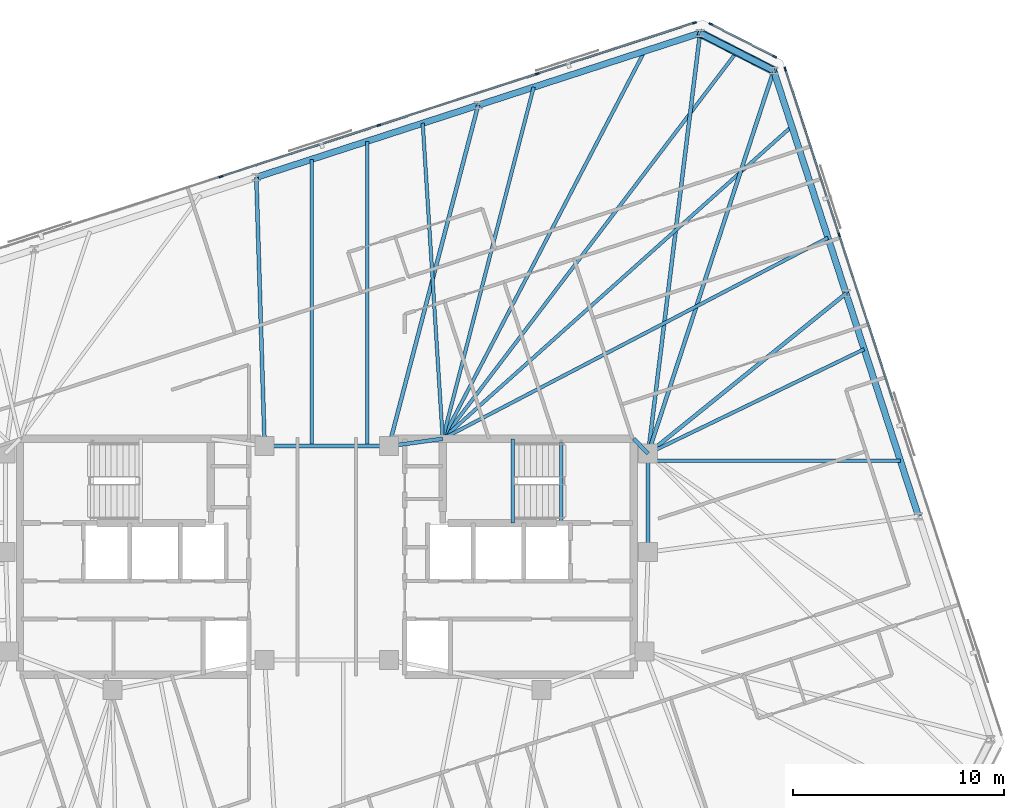
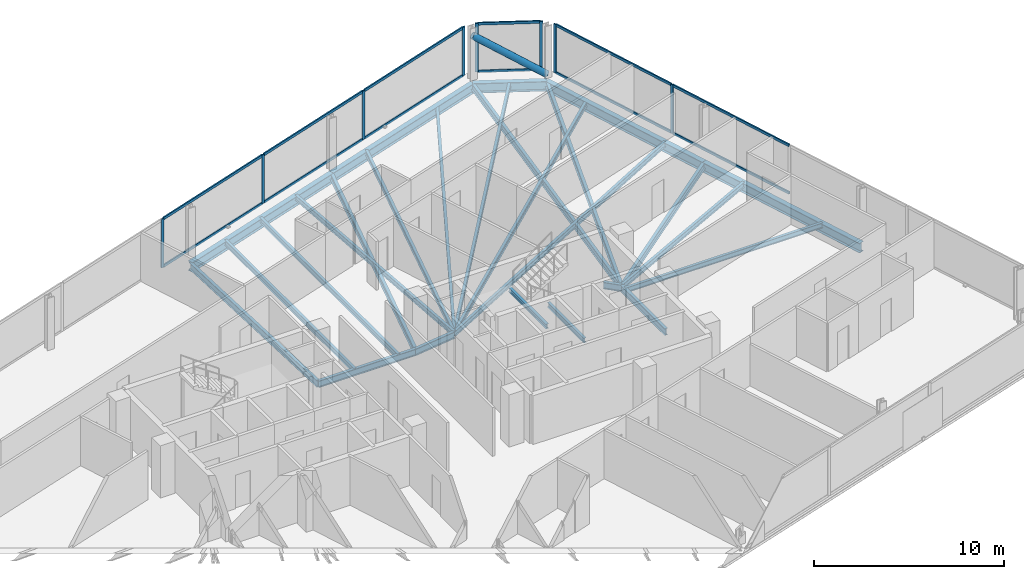
# One storey, part 10 of 19: 26 beams, 21 members, 3 elements without a shape of their own.
"""IFC4 building model written with IfcOpenShell, lengths in metres."""

from ifc_helpers import new_model, si_unit, direction, frame, origin, origin_2d, place, context, subcontext, project, spatial, rectangle, hollow_circle, i_section, extrude, material, material_profile, profile_set, type_object, element, aggregate, save


model = new_model("IFC4")

# Units and contexts
model_context = context("Model", 3, precision=1e-05, world=origin(), true_north=direction((0.0, 1.0)))
body_context = subcontext(model_context, "Body", "Model", "MODEL_VIEW")
ifc_project = project(units=[si_unit("LENGTHUNIT", "METRE"), si_unit("AREAUNIT", "SQUARE_METRE"), si_unit("VOLUMEUNIT", "CUBIC_METRE"), si_unit("PLANEANGLEUNIT", "RADIAN"), si_unit("MASSUNIT", "GRAM", prefix="KILO")], contexts=[model_context])

# Site, building, storey
site_placement = place(None, origin())
site = spatial("IfcSite", under=ifc_project, at=site_placement, CompositionType="ELEMENT")
building_placement = place(site_placement, origin())
building = spatial("IfcBuilding", under=site, at=building_placement, Name="Menara Jurai Vektor", CompositionType="ELEMENT")
storey_placement = place(building_placement, frame((0.0, 0.0, 234.35009765625)))
storey = spatial("IfcBuildingStorey", under=building, at=storey_placement, Name="L62", CompositionType="ELEMENT", Elevation=234.35009765625)

# Curtain wall, members
ifc_material_1 = material(Name="Anodised Pale Aluminium & Low-E Double Glazing", Category="aluminium")
curtain_wall_type = type_object("IfcCurtainWallType", Name="CW-BLK4", PredefinedType="NOTDEFINED", material=ifc_material_1)
curtain_wall_1_placement = place(storey_placement, origin())
curtain_wall_1 = element("IfcCurtainWall", 1, at=curtain_wall_1_placement, inside=storey, type_object=curtain_wall_type, Name="Unitised Curtain Wall L62 F03", PredefinedType="NOTDEFINED")
ifc_material_2 = material(Name="Anodised Pale Aluminium Mullion", Category="aluminium")
ifc_material_profile_1 = material_profile(ifc_material_2, rectangle(XDim=0.080078125, YDim=0.18994140625, at=origin_2d()), Name="ALU MUL 80x190")
ifc_profile_set_1 = profile_set([ifc_material_profile_1], Name="Anodised Pale Aluminium Mullion")
member_type_1 = type_object("IfcMemberType", Name="CW-BLK4-MUL", PredefinedType="MULLION", material=ifc_profile_set_1)
member_1_placement = place(storey_placement, frame((24.31494140625, 15.28271484375, 0.0), z_axis=(0.0, 0.0, 1.0), x_axis=(-0.95105668295, -0.309016481464, 0.0)))
member_1 = element("IfcMember", 2, at=member_1_placement, type_object=member_type_1, Name="CW-04 mullion 4", PredefinedType="MULLION", context=body_context, shape_type="SweptSolid", body=[
    extrude(rectangle(XDim=0.080078125, YDim=0.18994140625, at=origin_2d()), origin(), (0.0, 0.0, 1.0), 3.125),
])
member_2_placement = place(storey_placement, frame((21.75927734375, 23.14794921875, 0.0), z_axis=(0.0, 0.0, 1.0), x_axis=(-0.95105668295, -0.309016481464, 0.0)))
member_2 = element("IfcMember", 3, at=member_2_placement, type_object=member_type_1, Name="CW-04 mullion 5", PredefinedType="MULLION", context=body_context, shape_type="SweptSolid", body=[
    extrude(rectangle(XDim=0.080078125, YDim=0.18994140625, at=origin_2d()), origin(), (0.0, 0.0, 1.0), 3.125),
])

curtain_wall_2_placement = place(storey_placement, origin())
curtain_wall_2 = element("IfcCurtainWall", 4, at=curtain_wall_2_placement, inside=storey, type_object=curtain_wall_type, Name="Unitised Curtain Wall L62 F04", PredefinedType="NOTDEFINED")
member_3_placement = place(storey_placement, frame((21.25537109375, 23.73828125, 0.0), z_axis=(0.0, 0.0, 1.0), x_axis=(-0.453988579828, -0.89100750243, 0.0)))
member_3 = element("IfcMember", 5, at=member_3_placement, type_object=member_type_1, Name="CW-04 mullion 1", PredefinedType="MULLION", context=body_context, shape_type="SweptSolid", body=[
    extrude(rectangle(XDim=0.080078125, YDim=0.18994140625, at=origin_2d()), origin(), (0.0, 0.0, 1.0), 3.125),
])
member_4_placement = place(storey_placement, frame((18.223388671875, 25.282958984375, 0.0), z_axis=(0.0, 0.0, 1.0), x_axis=(-0.453988579828, -0.89100750243, 0.0)))
member_4 = element("IfcMember", 6, at=member_4_placement, type_object=member_type_1, Name="CW-04 mullion 2", PredefinedType="MULLION", context=body_context, shape_type="SweptSolid", body=[
    extrude(rectangle(XDim=0.080078125, YDim=0.18994140625, at=origin_2d()), origin(), (0.0, 0.0, 1.0), 3.125),
])

curtain_wall_3_placement = place(storey_placement, origin())
curtain_wall_3 = element("IfcCurtainWall", 7, at=curtain_wall_3_placement, inside=storey, type_object=curtain_wall_type, Name="Unitised Curtain Wall L62 F05", PredefinedType="NOTDEFINED")
member_5_placement = place(storey_placement, frame((17.44970703125, 25.34375, 0.0), z_axis=(0.0, 0.0, 1.0), x_axis=(0.309017344167, -0.951056402641, 0.0)))
member_5 = element("IfcMember", 8, at=member_5_placement, type_object=member_type_1, Name="CW-04 mullion 1", PredefinedType="MULLION", context=body_context, shape_type="SweptSolid", body=[
    extrude(rectangle(XDim=0.080078125, YDim=0.18994140625, at=origin_2d()), origin(), (0.0, 0.0, 1.0), 3.125),
])
member_6_placement = place(storey_placement, frame((9.982666015625, 22.917724609375, 0.0), z_axis=(0.0, 0.0, 1.0), x_axis=(0.309017344167, -0.951056402641, 0.0)))
member_6 = element("IfcMember", 9, at=member_6_placement, type_object=member_type_1, Name="CW-04 mullion 2", PredefinedType="MULLION", context=body_context, shape_type="SweptSolid", body=[
    extrude(rectangle(XDim=0.080078125, YDim=0.18994140625, at=origin_2d()), origin(), (0.0, 0.0, 1.0), 3.125),
])
member_7_placement = place(storey_placement, frame((2.4775390625, 20.47900390625, 0.0), z_axis=(0.0, 0.0, 1.0), x_axis=(0.309017344167, -0.951056402641, 0.0)))
member_7 = element("IfcMember", 10, at=member_7_placement, type_object=member_type_1, Name="CW-04 mullion 3", PredefinedType="MULLION", context=body_context, shape_type="SweptSolid", body=[
    extrude(rectangle(XDim=0.080078125, YDim=0.18994140625, at=origin_2d()), origin(), (0.0, 0.0, 1.0), 3.125),
])
member_8_placement = place(storey_placement, frame((-5.02783203125, 18.04052734375, 0.0), z_axis=(0.0, 0.0, 1.0), x_axis=(0.309017344167, -0.951056402641, 0.0)))
member_8 = element("IfcMember", 11, at=member_8_placement, type_object=member_type_1, Name="CW-04 mullion 4", PredefinedType="MULLION", context=body_context, shape_type="SweptSolid", body=[
    extrude(rectangle(XDim=0.080078125, YDim=0.18994140625, at=origin_2d()), origin(), (0.0, 0.0, 1.0), 3.125),
])

# Member
ifc_material_3 = material(Name="Anodised Pale Aluminium Transom", Category="aluminium")
ifc_material_profile_2 = material_profile(ifc_material_3, rectangle(XDim=0.080078125, YDim=0.1650390625, at=origin_2d()), Name="ALU TRN 80x165")
ifc_profile_set_2 = profile_set([ifc_material_profile_2], Name="Anodised Pale Aluminium Transom")
member_type_2 = type_object("IfcMemberType", Name="CW-BLK4-TRN", PredefinedType="USERDEFINED", material=ifc_profile_set_2)
member_9_placement = place(storey_placement, frame((26.870361328125, 7.41748046875, 0.039794921875), z_axis=(-0.309010276303, 0.951058699103, 0.0), x_axis=(-0.951058699103, -0.309010276303, 0.0)))
member_9 = element("IfcMember", 12, at=member_9_placement, type_object=member_type_2, Name="CW-04 transom 3.1", ObjectType="TRANSOM", PredefinedType="USERDEFINED", context=body_context, shape_type="SweptSolid", body=[
    extrude(rectangle(XDim=0.080078125, YDim=0.1650390625, at=origin_2d()), origin(), (0.0, 0.0, 1.0), 8.230224609375),
])

member_10_placement = place(storey_placement, frame((26.870361328125, 7.41748046875, 3.0849609375), z_axis=(-0.309010276303, 0.951058699103, 0.0), x_axis=(-0.951058699103, -0.309010276303, 0.0)))
member_10 = element("IfcMember", 13, at=member_10_placement, type_object=member_type_2, Name="CW-04 transom 3.2", ObjectType="TRANSOM", PredefinedType="USERDEFINED", context=body_context, shape_type="SweptSolid", body=[
    extrude(rectangle(XDim=0.080078125, YDim=0.1650390625, at=origin_2d()), origin(), (0.0, 0.0, 1.0), 8.230224609375),
])

member_11_placement = place(storey_placement, frame((24.302490234375, 15.32080078125, 0.039794921875), z_axis=(-0.309001816839, 0.951061447642, 0.0), x_axis=(-0.951061447642, -0.309001816839, 0.0)))
member_11 = element("IfcMember", 14, at=member_11_placement, type_object=member_type_2, Name="CW-04 transom 4.1", ObjectType="TRANSOM", PredefinedType="USERDEFINED", context=body_context, shape_type="SweptSolid", body=[
    extrude(rectangle(XDim=0.080078125, YDim=0.1650390625, at=origin_2d()), origin(), (0.0, 0.0, 1.0), 8.190185546875),
])

member_12_placement = place(storey_placement, frame((24.302490234375, 15.32080078125, 3.0849609375), z_axis=(-0.309001816839, 0.951061447642, 0.0), x_axis=(-0.951061447642, -0.309001816839, 0.0)))
member_12 = element("IfcMember", 15, at=member_12_placement, type_object=member_type_2, Name="CW-04 transom 4.2", ObjectType="TRANSOM", PredefinedType="USERDEFINED", context=body_context, shape_type="SweptSolid", body=[
    extrude(rectangle(XDim=0.080078125, YDim=0.1650390625, at=origin_2d()), origin(), (0.0, 0.0, 1.0), 8.190185546875),
])

aggregate(curtain_wall_1, [member_1, member_2, member_9, member_10, member_11, member_12])

member_13_placement = place(storey_placement, frame((21.2197265625, 23.75634765625, 0.039794921875), z_axis=(-0.89100697374, 0.453989617444, 0.0), x_axis=(-0.453989617444, -0.89100697374, 0.0)))
member_13 = element("IfcMember", 16, at=member_13_placement, type_object=member_type_2, Name="CW-04 transom 1.1", ObjectType="TRANSOM", PredefinedType="USERDEFINED", context=body_context, shape_type="SweptSolid", body=[
    extrude(rectangle(XDim=0.080078125, YDim=0.1650390625, at=origin_2d()), origin(), (0.0, 0.0, 1.0), 3.32275390625),
])

member_14_placement = place(storey_placement, frame((21.2197265625, 23.75634765625, 3.0849609375), z_axis=(-0.89100697374, 0.453989617444, 0.0), x_axis=(-0.453989617444, -0.89100697374, 0.0)))
member_14 = element("IfcMember", 17, at=member_14_placement, type_object=member_type_2, Name="CW-04 transom 1.2", ObjectType="TRANSOM", PredefinedType="USERDEFINED", context=body_context, shape_type="SweptSolid", body=[
    extrude(rectangle(XDim=0.080078125, YDim=0.1650390625, at=origin_2d()), origin(), (0.0, 0.0, 1.0), 3.32275390625),
])

aggregate(curtain_wall_2, [member_3, member_4, member_13, member_14])

member_15_placement = place(storey_placement, frame((17.41162109375, 25.33154296875, 0.039794921875), z_axis=(-0.951049997348, -0.309037056912, 0.0), x_axis=(0.309037056912, -0.951049997348, 0.0)))
member_15 = element("IfcMember", 18, at=member_15_placement, type_object=member_type_2, Name="CW-04 transom 1.1", ObjectType="TRANSOM", PredefinedType="USERDEFINED", context=body_context, shape_type="SweptSolid", body=[
    extrude(rectangle(XDim=0.080078125, YDim=0.1650390625, at=origin_2d()), origin(), (0.0, 0.0, 1.0), 7.771240234375),
])

member_16_placement = place(storey_placement, frame((17.41162109375, 25.33154296875, 3.0849609375), z_axis=(-0.951049997348, -0.309037056912, 0.0), x_axis=(0.309037056912, -0.951049997348, 0.0)))
member_16 = element("IfcMember", 19, at=member_16_placement, type_object=member_type_2, Name="CW-04 transom 1.2", ObjectType="TRANSOM", PredefinedType="USERDEFINED", context=body_context, shape_type="SweptSolid", body=[
    extrude(rectangle(XDim=0.080078125, YDim=0.1650390625, at=origin_2d()), origin(), (0.0, 0.0, 1.0), 7.771240234375),
])

member_17_placement = place(storey_placement, frame((9.944580078125, 22.9052734375, 0.039794921875), z_axis=(-0.951059330237, -0.309008333817, 0.0), x_axis=(0.309008333817, -0.951059330237, 0.0)))
member_17 = element("IfcMember", 20, at=member_17_placement, type_object=member_type_2, Name="CW-04 transom 2.1", ObjectType="TRANSOM", PredefinedType="USERDEFINED", context=body_context, shape_type="SweptSolid", body=[
    extrude(rectangle(XDim=0.080078125, YDim=0.1650390625, at=origin_2d()), origin(), (0.0, 0.0, 1.0), 7.8115234375),
])

member_18_placement = place(storey_placement, frame((9.944580078125, 22.9052734375, 3.0849609375), z_axis=(-0.951059330237, -0.309008333817, 0.0), x_axis=(0.309008333817, -0.951059330237, 0.0)))
member_18 = element("IfcMember", 21, at=member_18_placement, type_object=member_type_2, Name="CW-04 transom 2.2", ObjectType="TRANSOM", PredefinedType="USERDEFINED", context=body_context, shape_type="SweptSolid", body=[
    extrude(rectangle(XDim=0.080078125, YDim=0.1650390625, at=origin_2d()), origin(), (0.0, 0.0, 1.0), 7.8115234375),
])

member_19_placement = place(storey_placement, frame((2.439453125, 20.466552734375, 0.039794921875), z_axis=(-0.951059330237, -0.309008333817, 0.0), x_axis=(0.309008333817, -0.951059330237, 0.0)))
member_19 = element("IfcMember", 22, at=member_19_placement, type_object=member_type_2, Name="CW-04 transom 3.1", ObjectType="TRANSOM", PredefinedType="USERDEFINED", context=body_context, shape_type="SweptSolid", body=[
    extrude(rectangle(XDim=0.080078125, YDim=0.1650390625, at=origin_2d()), origin(), (0.0, 0.0, 1.0), 7.8115234375),
])

member_20_placement = place(storey_placement, frame((2.439453125, 20.466552734375, 3.0849609375), z_axis=(-0.951059330237, -0.309008333817, 0.0), x_axis=(0.309008333817, -0.951059330237, 0.0)))
member_20 = element("IfcMember", 23, at=member_20_placement, type_object=member_type_2, Name="CW-04 transom 3.2", ObjectType="TRANSOM", PredefinedType="USERDEFINED", context=body_context, shape_type="SweptSolid", body=[
    extrude(rectangle(XDim=0.080078125, YDim=0.1650390625, at=origin_2d()), origin(), (0.0, 0.0, 1.0), 7.8115234375),
])

aggregate(curtain_wall_3, [member_5, member_6, member_7, member_8, member_15, member_16, member_17, member_18, member_19, member_20])

# Beams
ifc_material_4 = material(Name="Steel S355", Category="steel")
ifc_material_profile_3 = material_profile(ifc_material_4, i_section(OverallWidth=0.18505859375, OverallDepth=0.429931640625, WebThickness=0.010986328125, FlangeThickness=0.01806640625, at=origin_2d()), Name="PG 430x185x76")
ifc_profile_set_3 = profile_set([ifc_material_profile_3], Name="Steel S355")
beam_type_1 = type_object("IfcBeamType", Name="STR-BM-430", PredefinedType="BEAM", material=ifc_profile_set_3)
beam_1_placement = place(storey_placement, frame((2.949951171875, 5.25, -0.440185546875), z_axis=(0.990706818608, 0.136014703483, 0.0), x_axis=(-0.136014703483, 0.990706818608, 0.0)))
element("IfcBeam", 24, at=beam_1_placement, inside=storey, type_object=beam_type_1, Name="Core Ring Header Girder L62-CHE-N1", PredefinedType="BEAM", context=body_context, shape_type="SweptSolid", body=[
    extrude(i_section(OverallWidth=0.18505859375, OverallDepth=0.429931640625, WebThickness=0.010986328125, FlangeThickness=0.01806640625, at=origin_2d()), origin(), (0.0, 0.0, 1.0), 2.573974609375),
])
beam_2_placement = place(storey_placement, frame((14.56005859375, 5.60009765625, -0.440185546875), z_axis=(0.701871936926, -0.712303154672, 0.0), x_axis=(0.712303154672, 0.701871936926, 0.0)))
element("IfcBeam", 25, at=beam_2_placement, inside=storey, type_object=beam_type_1, Name="Core Ring Header Girder L62-CHE-N2", PredefinedType="BEAM", context=body_context, shape_type="SweptSolid", body=[
    extrude(i_section(OverallWidth=0.18505859375, OverallDepth=0.429931640625, WebThickness=0.010986328125, FlangeThickness=0.01806640625, at=origin_2d()), origin(), (0.0, 0.0, 1.0), 0.98291015625),
])
beam_3_placement = place(storey_placement, frame((15.25, 0.219970703125, -0.440185546875), z_axis=(0.0, 1.0, 0.0), x_axis=(-1.0, 0.0, 0.0)))
element("IfcBeam", 26, at=beam_3_placement, inside=storey, type_object=beam_type_1, Name="Core Ring Header Girder L62-CHE-E1", PredefinedType="BEAM", context=body_context, shape_type="SweptSolid", body=[
    extrude(i_section(OverallWidth=0.18505859375, OverallDepth=0.429931640625, WebThickness=0.010986328125, FlangeThickness=0.01806640625, at=origin_2d()), origin(), (0.0, 0.0, 1.0), 4.679931640625),
])
beam_4_placement = place(storey_placement, frame((-2.949951171875, 5.25, -0.440185546875), z_axis=(1.0, 0.0, 0.0), x_axis=(0.0, 1.0, 0.0)))
element("IfcBeam", 27, at=beam_4_placement, inside=storey, type_object=beam_type_1, Name="Core Ring Header Girder L62-CC-2", PredefinedType="BEAM", context=body_context, shape_type="SweptSolid", body=[
    extrude(i_section(OverallWidth=0.18505859375, OverallDepth=0.429931640625, WebThickness=0.010986328125, FlangeThickness=0.01806640625, at=origin_2d()), origin(), (0.0, 0.0, 1.0), 5.89990234375),
])
beam_5_placement = place(storey_placement, frame((24.641845703125, 12.496826171875, -0.440185546875), z_axis=(-0.777487674144, -0.628898176619, 0.0), x_axis=(0.628898176619, -0.777487674144, 0.0)))
element("IfcBeam", 28, at=beam_5_placement, inside=storey, type_object=beam_type_1, Name="Radial Floor Girder L62-E3", PredefinedType="BEAM", context=body_context, shape_type="SweptSolid", body=[
    extrude(i_section(OverallWidth=0.18505859375, OverallDepth=0.429931640625, WebThickness=0.010986328125, FlangeThickness=0.01806640625, at=origin_2d()), origin(), (0.0, 0.0, 1.0), 12.079833984375),
])
beam_6_placement = place(storey_placement, frame((21.205810546875, 23.071044921875, -0.440185546875), z_axis=(-0.311459010005, -0.950259588263, 0.0), x_axis=(0.950259588263, -0.311459010005, 0.0)))
element("IfcBeam", 29, at=beam_6_placement, inside=storey, type_object=beam_type_1, Name="Radial Floor Girder L62-E4", PredefinedType="BEAM", context=body_context, shape_type="SweptSolid", body=[
    extrude(i_section(OverallWidth=0.18505859375, OverallDepth=0.429931640625, WebThickness=0.010986328125, FlangeThickness=0.01806640625, at=origin_2d()), origin(), (0.0, 0.0, 1.0), 19.122314453125),
])
beam_7_placement = place(storey_placement, frame((17.712890625, 24.85107421875, -0.440185546875), z_axis=(-0.122515938756, -0.99246654591, 0.0), x_axis=(0.99246654591, -0.122515938756, 0.0)))
element("IfcBeam", 30, at=beam_7_placement, inside=storey, type_object=beam_type_1, Name="Radial Floor Girder L62-N1", PredefinedType="BEAM", context=body_context, shape_type="SweptSolid", body=[
    extrude(i_section(OverallWidth=0.18505859375, OverallDepth=0.429931640625, WebThickness=0.010986328125, FlangeThickness=0.01806640625, at=origin_2d()), origin(), (0.0, 0.0, 1.0), 20.1025390625),
])
beam_8_placement = place(storey_placement, frame((7.18359375, 21.4296875, -0.440185546875), z_axis=(-0.253141463003, -0.96742927375, 0.0), x_axis=(0.96742927375, -0.253141463003, 0.0)))
element("IfcBeam", 31, at=beam_8_placement, inside=storey, type_object=beam_type_1, Name="Radial Floor Girder L62-N2", PredefinedType="BEAM", context=body_context, shape_type="SweptSolid", body=[
    extrude(i_section(OverallWidth=0.18505859375, OverallDepth=0.429931640625, WebThickness=0.010986328125, FlangeThickness=0.01806640625, at=origin_2d()), origin(), (0.0, 0.0, 1.0), 16.724365234375),
])
beam_9_placement = place(storey_placement, frame((-3.345703125, 18.008544921875, -0.440185546875), z_axis=(0.031003668991, -0.999519270704, 0.0), x_axis=(0.999519270704, 0.031003668991, 0.0)))
element("IfcBeam", 32, at=beam_9_placement, inside=storey, type_object=beam_type_1, Name="Radial Floor Girder L62-N3", PredefinedType="BEAM", context=body_context, shape_type="SweptSolid", body=[
    extrude(i_section(OverallWidth=0.18505859375, OverallDepth=0.429931640625, WebThickness=0.010986328125, FlangeThickness=0.01806640625, at=origin_2d()), origin(), (0.0, 0.0, 1.0), 12.7646484375),
])

# Member
ifc_material_5 = material(Name="Steel S460", Category="steel")
ifc_material_profile_4 = material_profile(ifc_material_5, hollow_circle(Radius=0.203125, WallThickness=0.01611328125, at=origin_2d()), Name="CHS 406.4x16")
ifc_profile_set_4 = profile_set([ifc_material_profile_4], Name="Steel S460")
member_type_3 = type_object("IfcMemberType", Name="STR-BR-406", PredefinedType="BRACE", material=ifc_profile_set_4)
member_21_placement = place(storey_placement, frame((21.2060546875, 23.071044921875, 0.14990234375), z_axis=(-0.740360915323, 0.377269459996, 0.556357321886), x_axis=(-0.454025593397, -0.890988642206, 0.0)))
element("IfcMember", 33, at=member_21_placement, inside=storey, type_object=member_type_3, Name="Exoskeleton Corner Brace L62-2", PredefinedType="BRACE", context=body_context, shape_type="SweptSolid", body=[
    extrude(hollow_circle(Radius=0.203125, WallThickness=0.01611328125, at=origin_2d()), origin(), (0.0, 0.0, 1.0), 4.71826171875),
])

# Beams
ifc_material_profile_5 = material_profile(ifc_material_4, i_section(OverallWidth=0.1650390625, OverallDepth=0.330078125, WebThickness=0.009033203125, FlangeThickness=0.013916015625, at=origin_2d()), Name="PG 330x165x46")
ifc_profile_set_5 = profile_set([ifc_material_profile_5], Name="Steel S355")
beam_type_2 = type_object("IfcBeamType", Name="STR-JS-330", PredefinedType="JOIST", material=ifc_profile_set_5)
beam_10_placement = place(storey_placement, frame((27.218505859375, 4.56591796875, -0.39013671875), z_axis=(-1.0, 0.0, 0.0), x_axis=(0.0, -1.0, 0.0)))
element("IfcBeam", 34, at=beam_10_placement, inside=storey, type_object=beam_type_2, Name="Radial Secondary Floor Joist L62-JS11", PredefinedType="JOIST", context=body_context, shape_type="SweptSolid", body=[
    extrude(i_section(OverallWidth=0.1650390625, OverallDepth=0.330078125, WebThickness=0.009033203125, FlangeThickness=0.013916015625, at=origin_2d()), origin(), (0.0, 0.0, 1.0), 11.968505859375),
])
beam_11_placement = place(storey_placement, frame((25.500732421875, 9.853271484375, -0.39013671875), z_axis=(-0.900388578627, -0.435086666629, 0.0), x_axis=(0.435086666629, -0.900388578627, 0.0)))
element("IfcBeam", 35, at=beam_11_placement, inside=storey, type_object=beam_type_2, Name="Radial Secondary Floor Joist L62-JS12", PredefinedType="JOIST", context=body_context, shape_type="SweptSolid", body=[
    extrude(i_section(OverallWidth=0.1650390625, OverallDepth=0.330078125, WebThickness=0.009033203125, FlangeThickness=0.013916015625, at=origin_2d()), origin(), (0.0, 0.0, 1.0), 11.384765625),
])
beam_12_placement = place(storey_placement, frame((23.78271484375, 15.140380859375, -0.39013671875), z_axis=(-0.886555502614, -0.462622244153, 0.0), x_axis=(0.462622244153, -0.886555502614, 0.0)))
element("IfcBeam", 36, at=beam_12_placement, inside=storey, type_object=beam_type_2, Name="Radial Secondary Floor Joist L62-JS13", PredefinedType="JOIST", context=body_context, shape_type="SweptSolid", body=[
    extrude(i_section(OverallWidth=0.1650390625, OverallDepth=0.330078125, WebThickness=0.009033203125, FlangeThickness=0.013916015625, at=origin_2d()), origin(), (0.0, 0.0, 1.0), 20.6220703125),
])
beam_13_placement = place(storey_placement, frame((22.06494140625, 20.427490234375, -0.39013671875), z_axis=(-0.745104297608, -0.666947963252, 0.0), x_axis=(0.666947963252, -0.745104297608, 0.0)))
element("IfcBeam", 37, at=beam_13_placement, inside=storey, type_object=beam_type_2, Name="Radial Secondary Floor Joist L62-JS14", PredefinedType="JOIST", context=body_context, shape_type="SweptSolid", body=[
    extrude(i_section(OverallWidth=0.1650390625, OverallDepth=0.330078125, WebThickness=0.009033203125, FlangeThickness=0.013916015625, at=origin_2d()), origin(), (0.0, 0.0, 1.0), 22.231689453125),
])
beam_14_placement = place(storey_placement, frame((19.45947265625, 23.9609375, -0.39013671875), z_axis=(-0.605227110118, -0.796052853257, 0.0), x_axis=(0.796052853257, -0.605227110118, 0.0)))
element("IfcBeam", 38, at=beam_14_placement, inside=storey, type_object=beam_type_2, Name="Radial Secondary Floor Joist L62-JS15", PredefinedType="JOIST", context=body_context, shape_type="SweptSolid", body=[
    extrude(i_section(OverallWidth=0.1650390625, OverallDepth=0.330078125, WebThickness=0.009033203125, FlangeThickness=0.013916015625, at=origin_2d()), origin(), (0.0, 0.0, 1.0), 23.06494140625),
])
beam_15_placement = place(storey_placement, frame((15.08056640625, 23.99560546875, -0.39013671875), z_axis=(-0.461918215026, -0.886922523464, 0.0), x_axis=(0.886922523464, -0.461918215026, 0.0)))
element("IfcBeam", 39, at=beam_15_placement, inside=storey, type_object=beam_type_2, Name="Radial Secondary Floor Joist L62-JS16", PredefinedType="JOIST", context=body_context, shape_type="SweptSolid", body=[
    extrude(i_section(OverallWidth=0.1650390625, OverallDepth=0.330078125, WebThickness=0.009033203125, FlangeThickness=0.013916015625, at=origin_2d()), origin(), (0.0, 0.0, 1.0), 20.74072265625),
])
beam_16_placement = place(storey_placement, frame((9.81591796875, 22.28515625, -0.39013671875), z_axis=(-0.250427234151, -0.968135424616, 0.0), x_axis=(0.968135424616, -0.250427234151, 0.0)))
element("IfcBeam", 40, at=beam_16_placement, inside=storey, type_object=beam_type_2, Name="Radial Secondary Floor Joist L62-JS17", PredefinedType="JOIST", context=body_context, shape_type="SweptSolid", body=[
    extrude(i_section(OverallWidth=0.1650390625, OverallDepth=0.330078125, WebThickness=0.009033203125, FlangeThickness=0.013916015625, at=origin_2d()), origin(), (0.0, 0.0, 1.0), 17.234130859375),
])
beam_17_placement = place(storey_placement, frame((4.55126953125, 20.574462890625, -0.39013671875), z_axis=(0.063230194737, -0.997998969175, 0.0), x_axis=(0.997998969175, 0.063230194737, 0.0)))
element("IfcBeam", 41, at=beam_17_placement, inside=storey, type_object=beam_type_2, Name="Radial Secondary Floor Joist L62-JS18", PredefinedType="JOIST", context=body_context, shape_type="SweptSolid", body=[
    extrude(i_section(OverallWidth=0.1650390625, OverallDepth=0.330078125, WebThickness=0.009033203125, FlangeThickness=0.013916015625, at=origin_2d()), origin(), (0.0, 0.0, 1.0), 15.00439453125),
])
beam_18_placement = place(storey_placement, frame((1.9189453125, 19.71923828125, -0.39013671875), z_axis=(0.0, -1.0, 0.0), x_axis=(1.0, 0.0, 0.0)))
element("IfcBeam", 42, at=beam_18_placement, inside=storey, type_object=beam_type_2, Name="Radial Secondary Floor Joist L62-JS19", PredefinedType="JOIST", context=body_context, shape_type="SweptSolid", body=[
    extrude(i_section(OverallWidth=0.1650390625, OverallDepth=0.330078125, WebThickness=0.009033203125, FlangeThickness=0.013916015625, at=origin_2d()), origin(), (0.0, 0.0, 1.0), 14.46923828125),
])
beam_19_placement = place(storey_placement, frame((-0.71337890625, 18.864013671875, -0.39013671875), z_axis=(0.0, -1.0, 0.0), x_axis=(1.0, 0.0, 0.0)))
element("IfcBeam", 43, at=beam_19_placement, inside=storey, type_object=beam_type_2, Name="Radial Secondary Floor Joist L62-JS20", PredefinedType="JOIST", context=body_context, shape_type="SweptSolid", body=[
    extrude(i_section(OverallWidth=0.1650390625, OverallDepth=0.330078125, WebThickness=0.009033203125, FlangeThickness=0.013916015625, at=origin_2d()), origin(), (0.0, 0.0, 1.0), 13.614013671875),
])
ifc_material_profile_6 = material_profile(ifc_material_4, i_section(OverallWidth=0.1650390625, OverallDepth=0.302978515625, WebThickness=0.006103515625, FlangeThickness=0.010009765625, FilletRadius=0.009033203125, at=origin_2d()), Name="UKB 305x165x40")
ifc_profile_set_6 = profile_set([ifc_material_profile_6], Name="Steel S355")
beam_type_3 = type_object("IfcBeamType", Name="STR-LN-305", PredefinedType="LINTEL", material=ifc_profile_set_6)
beam_20_placement = place(storey_placement, frame((11.1201171875, 1.60009765625, -0.376708984375), z_axis=(0.0, 1.0, 0.0), x_axis=(-1.0, 0.0, 0.0)))
element("IfcBeam", 44, at=beam_20_placement, inside=storey, type_object=beam_type_3, Name="Stair Well Floor Trimmer ST2 L62", PredefinedType="LINTEL", context=body_context, shape_type="SweptSolid", body=[
    extrude(i_section(OverallWidth=0.1650390625, OverallDepth=0.302978515625, WebThickness=0.006103515625, FlangeThickness=0.010009765625, FilletRadius=0.009033203125, at=origin_2d()), origin(), (0.0, 0.0, 1.0), 3.81982421875),
])
beam_21_placement = place(storey_placement, frame((8.830078125, 1.60009765625, 1.323486328125), z_axis=(0.0, 1.0, 0.0), x_axis=(-1.0, 0.0, 0.0)))
element("IfcBeam", 45, at=beam_21_placement, inside=storey, type_object=beam_type_3, Name="Stair Half-Landing Nosing Trimmer ST2-1 L62", PredefinedType="LINTEL", context=body_context, shape_type="SweptSolid", body=[
    extrude(i_section(OverallWidth=0.1650390625, OverallDepth=0.302978515625, WebThickness=0.006103515625, FlangeThickness=0.010009765625, FilletRadius=0.009033203125, at=origin_2d()), origin(), (0.0, 0.0, 1.0), 4.0),
])
ifc_material_profile_7 = material_profile(ifc_material_4, i_section(OverallWidth=0.306884765625, OverallDepth=0.6201171875, WebThickness=0.013916015625, FlangeThickness=0.02392578125, FilletRadius=0.01708984375, at=origin_2d()), Name="UKB 610x305x179")
ifc_profile_set_7 = profile_set([ifc_material_profile_7], Name="Steel S355")
beam_type_4 = type_object("IfcBeamType", Name="STR-SP-610", PredefinedType="SPANDREL", material=ifc_profile_set_7)
beam_22_placement = place(storey_placement, frame((28.07763671875, 1.92236328125, -0.53515625), z_axis=(-0.309012092614, 0.95105810896, 0.0), x_axis=(-0.95105810896, -0.309012092614, 0.0)))
element("IfcBeam", 46, at=beam_22_placement, inside=storey, type_object=beam_type_4, Name="Exoskeleton Spandrel Beam L62-08", PredefinedType="SPANDREL", context=body_context, shape_type="SweptSolid", body=[
    extrude(i_section(OverallWidth=0.306884765625, OverallDepth=0.6201171875, WebThickness=0.013916015625, FlangeThickness=0.02392578125, FilletRadius=0.01708984375, at=origin_2d()), origin(), (0.0, 0.0, 1.0), 11.11865234375),
])
beam_23_placement = place(storey_placement, frame((24.641845703125, 12.496826171875, -0.53515625), z_axis=(-0.309038407092, 0.951049558615, 0.0), x_axis=(-0.951049558615, -0.309038407092, 0.0)))
element("IfcBeam", 47, at=beam_23_placement, inside=storey, type_object=beam_type_4, Name="Exoskeleton Spandrel Beam L62-09", PredefinedType="SPANDREL", context=body_context, shape_type="SweptSolid", body=[
    extrude(i_section(OverallWidth=0.306884765625, OverallDepth=0.6201171875, WebThickness=0.013916015625, FlangeThickness=0.02392578125, FilletRadius=0.01708984375, at=origin_2d()), origin(), (0.0, 0.0, 1.0), 11.118408203125),
])
beam_24_placement = place(storey_placement, frame((21.205810546875, 23.071044921875, -0.53515625), z_axis=(-0.890975804423, 0.454050785633, 0.0), x_axis=(-0.454050785633, -0.890975804423, 0.0)))
element("IfcBeam", 48, at=beam_24_placement, inside=storey, type_object=beam_type_4, Name="Exoskeleton Spandrel Beam L62-10", PredefinedType="SPANDREL", context=body_context, shape_type="SweptSolid", body=[
    extrude(i_section(OverallWidth=0.306884765625, OverallDepth=0.6201171875, WebThickness=0.013916015625, FlangeThickness=0.02392578125, FilletRadius=0.01708984375, at=origin_2d()), origin(), (0.0, 0.0, 1.0), 3.92041015625),
])
beam_25_placement = place(storey_placement, frame((17.712890625, 24.85107421875, -0.53515625), z_axis=(-0.951050920942, -0.309034214572, 0.0), x_axis=(0.309034214572, -0.951050920942, 0.0)))
element("IfcBeam", 49, at=beam_25_placement, inside=storey, type_object=beam_type_4, Name="Exoskeleton Spandrel Beam L62-11", PredefinedType="SPANDREL", context=body_context, shape_type="SweptSolid", body=[
    extrude(i_section(OverallWidth=0.306884765625, OverallDepth=0.6201171875, WebThickness=0.013916015625, FlangeThickness=0.02392578125, FilletRadius=0.01708984375, at=origin_2d()), origin(), (0.0, 0.0, 1.0), 11.0712890625),
])
beam_26_placement = place(storey_placement, frame((7.18359375, 21.4296875, -0.53515625), z_axis=(-0.951057401967, -0.309014268544, 0.0), x_axis=(0.309014268544, -0.951057401967, 0.0)))
element("IfcBeam", 50, at=beam_26_placement, inside=storey, type_object=beam_type_4, Name="Exoskeleton Spandrel Beam L62-12", PredefinedType="SPANDREL", context=body_context, shape_type="SweptSolid", body=[
    extrude(i_section(OverallWidth=0.306884765625, OverallDepth=0.6201171875, WebThickness=0.013916015625, FlangeThickness=0.02392578125, FilletRadius=0.01708984375, at=origin_2d()), origin(), (0.0, 0.0, 1.0), 11.071044921875),
])

save(model, "model.ifc")
